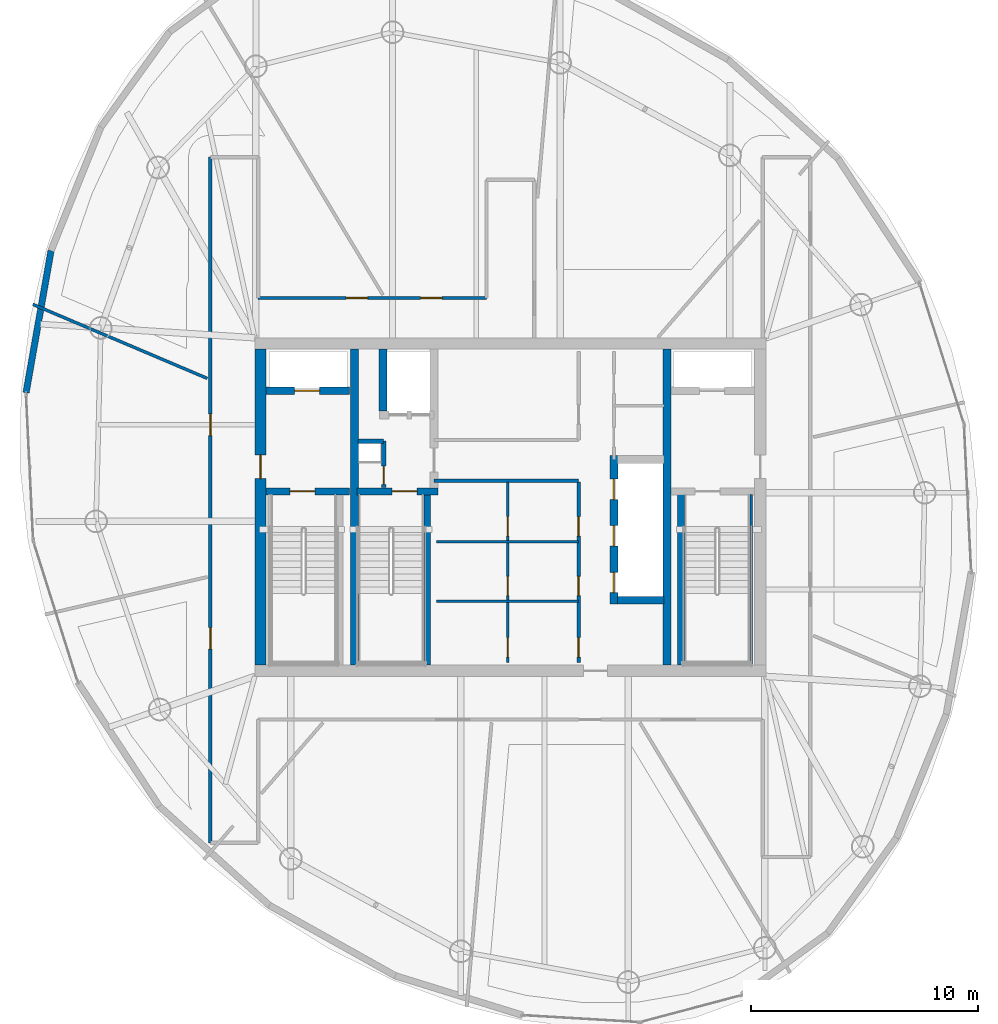
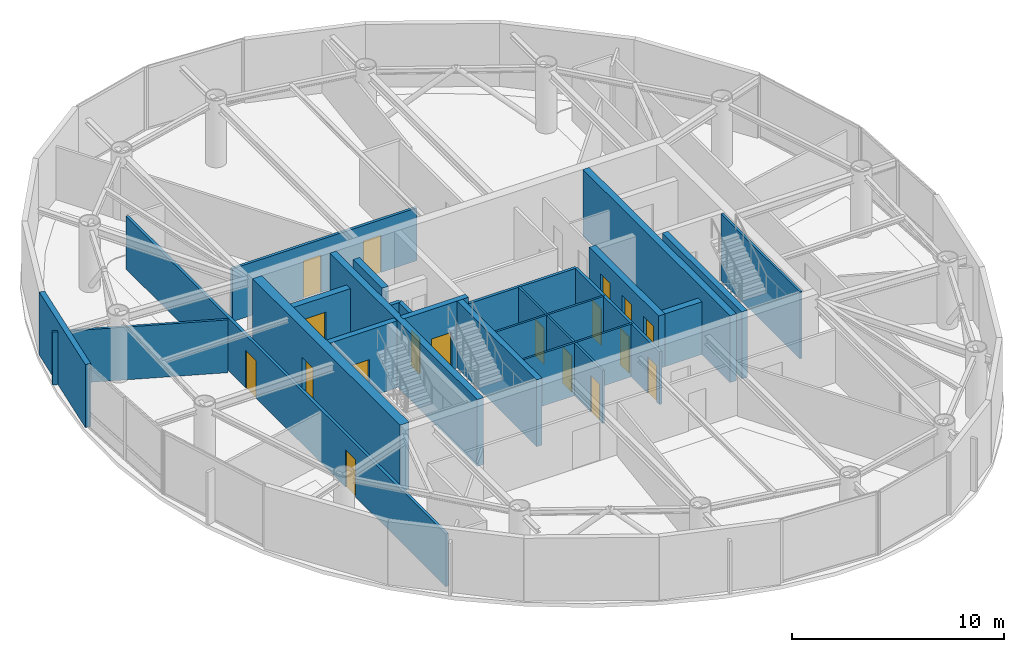
# One storey, part 14 of 19: 23 walls, 18 doors, 18 openings.
"""IFC4 building model written with IfcOpenShell, lengths in metres."""

from ifc_helpers import new_model, si_unit, direction, frame, frame_2d, origin, place, context, subcontext, project, spatial, rectangle, extrude, material, layer, layer_set, type_object, element, fill, save


model = new_model("IFC4")

# Units and contexts
model_context = context("Model", 3, precision=1e-05, world=origin(), true_north=direction((0.0, 1.0)))
body_context = subcontext(model_context, "Body", "Model", "MODEL_VIEW")
ifc_project = project(units=[si_unit("LENGTHUNIT", "METRE"), si_unit("AREAUNIT", "SQUARE_METRE"), si_unit("VOLUMEUNIT", "CUBIC_METRE"), si_unit("PLANEANGLEUNIT", "RADIAN"), si_unit("MASSUNIT", "GRAM", prefix="KILO")], contexts=[model_context])

# Site, building, storey
site_placement = place(None, origin())
site = spatial("IfcSite", under=ifc_project, at=site_placement, CompositionType="ELEMENT")
building_placement = place(site_placement, origin())
building = spatial("IfcBuilding", under=site, at=building_placement, Name="Bramvorn Convention Spire", CompositionType="ELEMENT")
storey_placement = place(building_placement, frame((0.0, 0.0, 292.10009765625)))
storey = spatial("IfcBuildingStorey", under=building, at=storey_placement, Name="L74", CompositionType="ELEMENT", Elevation=292.10009765625)

# Wall, opening, door
ifc_material_1 = material(Name="Concrete C50/60", Category="concrete")
ifc_layer_1 = layer(ifc_material_1, 0.5)
ifc_layer_set_1 = layer_set([ifc_layer_1], Name="Concrete C50/60 - WL-CORE-500")
wall_type_1 = type_object("IfcWallType", Name="WL-CORE-500", PredefinedType="SHEAR", material=ifc_layer_set_1)
wall_1_placement = place(storey_placement, frame((27.0, 19.050048828125, 0.0), z_axis=(0.0, 0.0, 1.0), x_axis=(0.0, 1.0, 0.0)))
wall_1 = element("IfcWall", 1, at=wall_1_placement, inside=storey, type_object=wall_type_1, Name="L74 West RC core shear wall", PredefinedType="SHEAR", context=body_context, shape_type="SweptSolid", body=[
    extrude(rectangle(XDim=13.89990234375, YDim=0.5, at=frame_2d((6.949951171875, 0.0))), origin(), (0.0, 0.0, 1.0), 3.849853515625),
])
opening_1_placement = place(wall_1_placement, frame((8.199951171875, 0.0, 0.0)))
opening_1 = element("IfcOpeningElement", 2, at=opening_1_placement, cuts=wall_1, Name="Opening DL-105", PredefinedType="OPENING", context=body_context, shape_type="SweptSolid", body=[
    extrude(rectangle(XDim=1.050048828125, YDim=2.14990234375, at=frame_2d((0.52490234375, 1.074951171875))), frame((0.0, 0.260009765625, 0.0), z_axis=(0.0, -1.0, 0.0), x_axis=(1.0, 0.0, 0.0)), (0.0, 0.0, 1.0), 0.52001953125),
])
ifc_material_2 = material(Name="Smoke-Sealed Fire Lobby Timber-Core Door", Category="wood")
door_type_1 = type_object("IfcDoorType", Name="DR-LOBBY-1050", OperationType="NOTDEFINED", PredefinedType="DOOR", material=ifc_material_2)
door_1_placement = place(opening_1_placement, origin())
door_1 = element("IfcDoor", 3, at=door_1_placement, inside=storey, type_object=door_type_1, Name="L74 West Firefighting Lobby corridor door", OperationType="SINGLE_SWING_RIGHT", OverallHeight=2.14990234375, OverallWidth=1.050048828125, PredefinedType="DOOR", context=body_context, shape_type="SweptSolid", body=[
    extrude(rectangle(XDim=1.050048828125, YDim=2.14990234375, at=frame_2d((0.52490234375, 1.074951171875))), frame((0.0, 0.02490234375, 0.0), z_axis=(0.0, -1.0, 0.0), x_axis=(1.0, 0.0, 0.0)), (0.0, 0.0, 1.0), 0.050048828125),
])
fill(opening_1, door_1)

# Walls
ifc_layer_2 = layer(ifc_material_1, 0.35009765625)
ifc_layer_set_2 = layer_set([ifc_layer_2], Name="Concrete C50/60 - WL-CORE-INT-350")
wall_type_2 = type_object("IfcWallType", Name="WL-CORE-INT-350", PredefinedType="SHEAR", material=ifc_layer_set_2)
for number, where, z_axis, x_axis, name in (
    (4, (31.1298828125, 19.050048828125, 0.0), (0.0, 0.0, 1.0), (0.0, 1.0, 0.0), "L74 West internal core shear web"),
    (5, (44.89990234375, 19.050048828125, 0.0), (0.0, 0.0, 1.0), (0.0, 1.0, 0.0), "L74 East internal core shear web"),
):
    element("IfcWall", number, at=place(storey_placement, frame(where, z_axis=z_axis, x_axis=x_axis)), inside=storey, type_object=wall_type_2, Name=name, PredefinedType="SHEAR", context=body_context, shape_type="SweptSolid", body=[
        extrude(rectangle(XDim=13.89990234375, YDim=0.35009765625, at=frame_2d((6.949951171875, 0.0))), origin(), (0.0, 0.0, 1.0), 3.849853515625),
    ])

# Wall, opening, door
wall_2_placement = place(storey_placement, frame((27.25, 31.1201171875, 0.0), z_axis=(0.0, 0.0, 1.0), x_axis=(1.0, 0.0, 0.0)))
wall_2 = element("IfcWall", 6, at=wall_2_placement, inside=storey, type_object=wall_type_2, Name="L74 FE1 shaft front wall", PredefinedType="SHEAR", context=body_context, shape_type="SweptSolid", body=[
    extrude(rectangle(XDim=3.669921875, YDim=0.35009765625, at=frame_2d((1.8349609375, 0.0))), origin(), (0.0, 0.0, 1.0), 3.039794921875),
])
opening_2_placement = place(wall_2_placement, frame((1.25, 0.0, 0.0)))
opening_2 = element("IfcOpeningElement", 7, at=opening_2_placement, cuts=wall_2, Name="Opening LD-110", PredefinedType="OPENING", context=body_context, shape_type="SweptSolid", body=[
    extrude(rectangle(XDim=1.10009765625, YDim=2.14990234375, at=frame_2d((0.550048828125, 1.074951171875))), frame((0.0, 0.18505859375, 0.0), z_axis=(0.0, -1.0, 0.0), x_axis=(1.0, 0.0, 0.0)), (0.0, 0.0, 1.0), 0.3701171875),
])
ifc_material_3 = material(Name="Firefighting & Service Lift Sliding Landing Door", Category="steel")
door_type_2 = type_object("IfcDoorType", Name="DR-LIFT-LD-1100", OperationType="NOTDEFINED", PredefinedType="DOOR", material=ifc_material_3)
door_2_placement = place(opening_2_placement, origin())
door_2 = element("IfcDoor", 8, at=door_2_placement, inside=storey, type_object=door_type_2, Name="L74 Lift FE1 Sliding Landing Door", OperationType="SLIDING_TO_LEFT", OverallHeight=2.14990234375, OverallWidth=1.10009765625, PredefinedType="DOOR", context=body_context, shape_type="SweptSolid", body=[
    extrude(rectangle(XDim=1.10009765625, YDim=2.14990234375, at=frame_2d((0.550048828125, 1.074951171875))), frame((0.0, 0.02490234375, 0.0), z_axis=(0.0, -1.0, 0.0), x_axis=(1.0, 0.0, 0.0)), (0.0, 0.0, 1.0), 0.050048828125),
])
fill(opening_2, door_2)

# Wall
wall_3_placement = place(storey_placement, frame((32.39990234375, 30.219970703125, 0.0), z_axis=(0.0, 0.0, 1.0), x_axis=(0.0, 1.0, 0.0)))
element("IfcWall", 9, at=wall_3_placement, inside=storey, type_object=wall_type_2, Name="L74 SV1 west hoistway wall", PredefinedType="SHEAR", context=body_context, shape_type="SweptSolid", body=[
    extrude(rectangle(XDim=2.72998046875, YDim=0.35009765625, at=frame_2d((1.364990234375, 0.0))), origin(), (0.0, 0.0, 1.0), 3.039794921875),
])

# Wall, openings, doors
wall_4_placement = place(storey_placement, frame((42.550048828125, 21.72998046875, 0.0), z_axis=(0.0, 0.0, 1.0), x_axis=(0.0, 1.0, 0.0)))
wall_4 = element("IfcWall", 10, at=wall_4_placement, inside=storey, type_object=wall_type_2, Name="L74 High-rise lift bank west wall", PredefinedType="SHEAR", context=body_context, shape_type="SweptSolid", body=[
    extrude(rectangle(XDim=6.5400390625, YDim=0.35009765625, at=frame_2d((3.27001953125, 0.0))), origin(), (0.0, 0.0, 1.0), 3.039794921875),
])
opening_3_placement = place(wall_4_placement, frame((0.5, 0.0, 0.0)))
opening_3 = element("IfcOpeningElement", 11, at=opening_3_placement, cuts=wall_4, Name="Opening LD-090", PredefinedType="OPENING", context=body_context, shape_type="SweptSolid", body=[
    extrude(rectangle(XDim=0.89990234375, YDim=2.14990234375, at=frame_2d((0.449951171875, 1.074951171875))), frame((0.0, 0.18505859375, 0.0), z_axis=(0.0, -1.0, 0.0), x_axis=(1.0, 0.0, 0.0)), (0.0, 0.0, 1.0), 0.3701171875),
])
opening_4_placement = place(wall_4_placement, frame((2.550048828125, 0.0, 0.0)))
opening_4 = element("IfcOpeningElement", 12, at=opening_4_placement, cuts=wall_4, Name="Opening LD-090", PredefinedType="OPENING", context=body_context, shape_type="SweptSolid", body=[
    extrude(rectangle(XDim=0.89990234375, YDim=2.14990234375, at=frame_2d((0.449951171875, 1.074951171875))), frame((0.0, 0.18505859375, 0.0), z_axis=(0.0, -1.0, 0.0), x_axis=(1.0, 0.0, 0.0)), (0.0, 0.0, 1.0), 0.3701171875),
])
opening_5_placement = place(wall_4_placement, frame((4.60009765625, 0.0, 0.0)))
opening_5 = element("IfcOpeningElement", 13, at=opening_5_placement, cuts=wall_4, Name="Opening LD-090", PredefinedType="OPENING", context=body_context, shape_type="SweptSolid", body=[
    extrude(rectangle(XDim=0.89990234375, YDim=2.14990234375, at=frame_2d((0.449951171875, 1.074951171875))), frame((0.0, 0.18505859375, 0.0), z_axis=(0.0, -1.0, 0.0), x_axis=(1.0, 0.0, 0.0)), (0.0, 0.0, 1.0), 0.3701171875),
])
ifc_material_4 = material(Name="Bi-Parting Fire-Rated Lift Landing Door", Category="steel")
door_type_3 = type_object("IfcDoorType", Name="DR-LIFT-LD-900", OperationType="NOTDEFINED", PredefinedType="DOOR", material=ifc_material_4)
door_3_placement = place(opening_3_placement, origin())
door_3 = element("IfcDoor", 14, at=door_3_placement, inside=storey, type_object=door_type_3, Name="L74 Lift PH1 Sliding Landing Door", OperationType="SLIDING_TO_LEFT", OverallHeight=2.14990234375, OverallWidth=0.89990234375, PredefinedType="DOOR", context=body_context, shape_type="SweptSolid", body=[
    extrude(rectangle(XDim=0.89990234375, YDim=2.14990234375, at=frame_2d((0.449951171875, 1.074951171875))), frame((0.0, 0.02490234375, 0.0), z_axis=(0.0, -1.0, 0.0), x_axis=(1.0, 0.0, 0.0)), (0.0, 0.0, 1.0), 0.050048828125),
])
fill(opening_3, door_3)
door_4_placement = place(opening_4_placement, origin())
door_4 = element("IfcDoor", 15, at=door_4_placement, inside=storey, type_object=door_type_3, Name="L74 Lift PH2 Sliding Landing Door", OperationType="SLIDING_TO_LEFT", OverallHeight=2.14990234375, OverallWidth=0.89990234375, PredefinedType="DOOR", context=body_context, shape_type="SweptSolid", body=[
    extrude(rectangle(XDim=0.89990234375, YDim=2.14990234375, at=frame_2d((0.449951171875, 1.074951171875))), frame((0.0, 0.02490234375, 0.0), z_axis=(0.0, -1.0, 0.0), x_axis=(1.0, 0.0, 0.0)), (0.0, 0.0, 1.0), 0.050048828125),
])
fill(opening_4, door_4)
door_5_placement = place(opening_5_placement, origin())
door_5 = element("IfcDoor", 16, at=door_5_placement, inside=storey, type_object=door_type_3, Name="L74 Lift PH3 Sliding Landing Door", OperationType="SLIDING_TO_LEFT", OverallHeight=2.14990234375, OverallWidth=0.89990234375, PredefinedType="DOOR", context=body_context, shape_type="SweptSolid", body=[
    extrude(rectangle(XDim=0.89990234375, YDim=2.14990234375, at=frame_2d((0.449951171875, 1.074951171875))), frame((0.0, 0.02490234375, 0.0), z_axis=(0.0, -1.0, 0.0), x_axis=(1.0, 0.0, 0.0)), (0.0, 0.0, 1.0), 0.050048828125),
])
fill(opening_5, door_5)

# Walls
wall_5_placement = place(storey_placement, frame((42.719970703125, 21.89990234375, 0.0), z_axis=(0.0, 0.0, 1.0), x_axis=(1.0, 0.0, 0.0)))
element("IfcWall", 17, at=wall_5_placement, inside=storey, type_object=wall_type_2, Name="L74 High-rise lift bank south wall", PredefinedType="SHEAR", context=body_context, shape_type="SweptSolid", body=[
    extrude(rectangle(XDim=2.030029296875, YDim=0.35009765625, at=frame_2d((1.01513671875, 0.0))), origin(), (0.0, 0.0, 1.0), 3.039794921875),
])
ifc_material_5 = material(Name="Precast Concrete C40/50 with Bronze Terracotta Rainscreen", Category="masonry")
ifc_layer_3 = layer(ifc_material_5, 0.300048828125)
ifc_layer_set_3 = layer_set([ifc_layer_3], Name="Precast Concrete C40/50 with Bronze Terracotta Rainscreen - WL-EXT-BRONZE-300")
wall_type_3 = type_object("IfcWallType", Name="WL-EXT-BRONZE-300", PredefinedType="SOLIDWALL", material=ifc_layer_set_3)
wall_6_placement = place(storey_placement, frame((16.685791015625, 31.0341796875, 0.0), z_axis=(0.0, 0.0, 1.0), x_axis=(0.173258520221, 0.984876380654, 0.0)))
element("IfcWall", 18, at=wall_6_placement, inside=storey, type_object=wall_type_3, Name="L74 expressed bronze Gothic lancet pier wall 16", PredefinedType="SOLIDWALL", context=body_context, shape_type="SweptSolid", body=[
    extrude(rectangle(XDim=6.34521484375, YDim=0.280029296875, at=frame_2d((3.172607421875, 0.0))), origin(), (0.0, 0.0, 1.0), 3.625),
])

# Wall, openings, doors
ifc_material_6 = material(Name="Lightweight En-Suite & Wet-Wall Partition", Category="gypsum")
ifc_layer_4 = layer(ifc_material_6, 0.110107421875)
ifc_layer_set_4 = layer_set([ifc_layer_4], Name="Lightweight En-Suite & Wet-Wall Partition - WL-PART-110")
wall_type_4 = type_object("IfcWallType", Name="WL-PART-110", PredefinedType="PARTITIONING", material=ifc_layer_set_4)
wall_7_placement = place(storey_placement, frame((37.8798828125, 19.14990234375, 0.0), z_axis=(0.0, 0.0, 1.0), x_axis=(0.0, 1.0, 0.0)))
wall_7 = element("IfcWall", 19, at=wall_7_placement, inside=storey, type_object=wall_type_4, Name="L74 KB center wall", PredefinedType="PARTITIONING", context=body_context, shape_type="SweptSolid", body=[
    extrude(rectangle(XDim=7.9501953125, YDim=0.110107421875, at=frame_2d((3.97509765625, 0.0))), origin(), (0.0, 0.0, 1.0), 3.039794921875),
])
opening_6_placement = place(wall_7_placement, frame((0.25, 0.0, 0.0)))
opening_6 = element("IfcOpeningElement", 20, at=opening_6_placement, cuts=wall_7, Name="Opening DC-085", PredefinedType="OPENING", context=body_context, shape_type="SweptSolid", body=[
    extrude(rectangle(XDim=0.85009765625, YDim=2.10009765625, at=frame_2d((0.425048828125, 1.050048828125))), frame((0.0, 0.06494140625, 0.0), z_axis=(0.0, -1.0, 0.0), x_axis=(1.0, 0.0, 0.0)), (0.0, 0.0, 1.0), 0.130126953125),
])
opening_7_placement = place(wall_7_placement, frame((2.952880859375, 0.0, 0.0)))
opening_7 = element("IfcOpeningElement", 21, at=opening_7_placement, cuts=wall_7, Name="Opening DC-085", PredefinedType="OPENING", context=body_context, shape_type="SweptSolid", body=[
    extrude(rectangle(XDim=0.85009765625, YDim=2.10009765625, at=frame_2d((0.425048828125, 1.050048828125))), frame((0.0, 0.06494140625, 0.0), z_axis=(0.0, -1.0, 0.0), x_axis=(1.0, 0.0, 0.0)), (0.0, 0.0, 1.0), 0.130126953125),
])
opening_8_placement = place(wall_7_placement, frame((5.576416015625, 0.0, 0.0)))
opening_8 = element("IfcOpeningElement", 22, at=opening_8_placement, cuts=wall_7, Name="Opening DC-085", PredefinedType="OPENING", context=body_context, shape_type="SweptSolid", body=[
    extrude(rectangle(XDim=0.85009765625, YDim=2.10009765625, at=frame_2d((0.425048828125, 1.050048828125))), frame((0.0, 0.06494140625, 0.0), z_axis=(0.0, -1.0, 0.0), x_axis=(1.0, 0.0, 0.0)), (0.0, 0.0, 1.0), 0.130126953125),
])
ifc_material_7 = material(Name="Fire-Rated Core Washroom & IDF Door", Category="wood")
door_type_4 = type_object("IfcDoorType", Name="DR-CORE-850", OperationType="NOTDEFINED", PredefinedType="DOOR", material=ifc_material_7)
door_6_placement = place(opening_6_placement, origin())
door_6 = element("IfcDoor", 23, at=door_6_placement, inside=storey, type_object=door_type_4, Name="L74 Core Linen Store door", OperationType="SINGLE_SWING_LEFT", OverallHeight=2.10009765625, OverallWidth=0.85009765625, PredefinedType="DOOR", context=body_context, shape_type="SweptSolid", body=[
    extrude(rectangle(XDim=0.85009765625, YDim=2.10009765625, at=frame_2d((0.425048828125, 1.050048828125))), frame((0.0, 0.02490234375, 0.0), z_axis=(0.0, -1.0, 0.0), x_axis=(1.0, 0.0, 0.0)), (0.0, 0.0, 1.0), 0.050048828125),
])
fill(opening_6, door_6)
door_7_placement = place(opening_7_placement, origin())
door_7 = element("IfcDoor", 24, at=door_7_placement, inside=storey, type_object=door_type_4, Name="L74 Core Metering Closet door", OperationType="SINGLE_SWING_LEFT", OverallHeight=2.10009765625, OverallWidth=0.85009765625, PredefinedType="DOOR", context=body_context, shape_type="SweptSolid", body=[
    extrude(rectangle(XDim=0.85009765625, YDim=2.10009765625, at=frame_2d((0.425048828125, 1.050048828125))), frame((0.0, 0.02490234375, 0.0), z_axis=(0.0, -1.0, 0.0), x_axis=(1.0, 0.0, 0.0)), (0.0, 0.0, 1.0), 0.050048828125),
])
fill(opening_7, door_7)
door_8_placement = place(opening_8_placement, origin())
door_8 = element("IfcDoor", 25, at=door_8_placement, inside=storey, type_object=door_type_4, Name="L74 Core Janitor Supply door", OperationType="SINGLE_SWING_LEFT", OverallHeight=2.10009765625, OverallWidth=0.85009765625, PredefinedType="DOOR", context=body_context, shape_type="SweptSolid", body=[
    extrude(rectangle(XDim=0.85009765625, YDim=2.10009765625, at=frame_2d((0.425048828125, 1.050048828125))), frame((0.0, 0.02490234375, 0.0), z_axis=(0.0, -1.0, 0.0), x_axis=(1.0, 0.0, 0.0)), (0.0, 0.0, 1.0), 0.050048828125),
])
fill(opening_8, door_8)

# Walls
for number, where, z_axis, x_axis, name in (
    (26, (34.75, 21.85302734375, 0.0), (0.0, 0.0, 1.0), (1.0, 0.0, 0.0), "L74 KB divider 1"),
    (27, (34.75, 24.4765625, 0.0), (0.0, 0.0, 1.0), (1.0, 0.0, 0.0), "L74 KB divider 2"),
):
    element("IfcWall", number, at=place(storey_placement, frame(where, z_axis=z_axis, x_axis=x_axis)), inside=storey, type_object=wall_type_4, Name=name, PredefinedType="PARTITIONING", context=body_context, shape_type="SweptSolid", body=[
        extrude(rectangle(XDim=6.25, YDim=0.110107421875, at=frame_2d((3.125, 0.0))), origin(), (0.0, 0.0, 1.0), 3.039794921875),
    ])
ifc_material_8 = material(Name="Metal-Stud Demountable Office Partition", Category="gypsum")
ifc_layer_5 = layer(ifc_material_8, 0.1298828125)
ifc_layer_set_5 = layer_set([ifc_layer_5], Name="Metal-Stud Demountable Office Partition - WL-PART-130")
wall_type_5 = type_object("IfcWallType", Name="WL-PART-130", PredefinedType="PARTITIONING", material=ifc_layer_set_5)
wall_8_placement = place(storey_placement, frame((24.659912109375, 31.66259765625, 0.0), z_axis=(0.0, 0.0, 1.0), x_axis=(-0.920507798558, 0.390724190182, 0.0)))
element("IfcWall", 28, at=wall_8_placement, inside=storey, type_object=wall_type_5, Name="L74 Tenant suite partition 5", PredefinedType="PARTITIONING", context=body_context, shape_type="SweptSolid", body=[
    extrude(rectangle(XDim=8.3427734375, YDim=0.1298828125, at=frame_2d((4.17138671875, 0.0))), origin(), (0.0, 0.0, 1.0), 3.039794921875),
])
ifc_material_9 = material(Name="Acoustic Metal-Stud Tenant/Corridor Partition", Category="gypsum")
ifc_layer_6 = layer(ifc_material_9, 0.14990234375)
ifc_layer_set_6 = layer_set([ifc_layer_6], Name="Acoustic Metal-Stud Tenant/Corridor Partition - WL-PART-150")
wall_type_6 = type_object("IfcWallType", Name="WL-PART-150", PredefinedType="PARTITIONING", material=ifc_layer_set_6)
wall_9_placement = place(storey_placement, frame((34.639892578125, 27.14990234375, 0.0), z_axis=(0.0, 0.0, 1.0), x_axis=(1.0, 0.0, 0.0)))
element("IfcWall", 29, at=wall_9_placement, inside=storey, type_object=wall_type_6, Name="L74 Cross-core passage south wall", PredefinedType="PARTITIONING", context=body_context, shape_type="SweptSolid", body=[
    extrude(rectangle(XDim=6.360107421875, YDim=0.14990234375, at=frame_2d((3.18017578125, 0.0))), origin(), (0.0, 0.0, 1.0), 3.039794921875),
])

# Wall, openings, doors
wall_10_placement = place(storey_placement, frame((41.0, 19.14990234375, 0.0), z_axis=(0.0, 0.0, 1.0), x_axis=(0.0, 1.0, 0.0)))
wall_10 = element("IfcWall", 30, at=wall_10_placement, inside=storey, type_object=wall_type_6, Name="L74 KB east core wall", PredefinedType="PARTITIONING", context=body_context, shape_type="SweptSolid", body=[
    extrude(rectangle(XDim=7.9501953125, YDim=0.14990234375, at=frame_2d((3.97509765625, 0.0))), origin(), (0.0, 0.0, 1.0), 3.039794921875),
])
opening_9_placement = place(wall_10_placement, frame((0.25, 0.0, 0.0)))
opening_9 = element("IfcOpeningElement", 31, at=opening_9_placement, cuts=wall_10, Name="Opening DC-085", PredefinedType="OPENING", context=body_context, shape_type="SweptSolid", body=[
    extrude(rectangle(XDim=0.85009765625, YDim=2.10009765625, at=frame_2d((0.425048828125, 1.050048828125))), frame((0.0, 0.0849609375, 0.0), z_axis=(0.0, -1.0, 0.0), x_axis=(1.0, 0.0, 0.0)), (0.0, 0.0, 1.0), 0.169921875),
])
opening_10_placement = place(wall_10_placement, frame((2.952880859375, 0.0, 0.0)))
opening_10 = element("IfcOpeningElement", 32, at=opening_10_placement, cuts=wall_10, Name="Opening DC-085", PredefinedType="OPENING", context=body_context, shape_type="SweptSolid", body=[
    extrude(rectangle(XDim=0.85009765625, YDim=2.10009765625, at=frame_2d((0.425048828125, 1.050048828125))), frame((0.0, 0.0849609375, 0.0), z_axis=(0.0, -1.0, 0.0), x_axis=(1.0, 0.0, 0.0)), (0.0, 0.0, 1.0), 0.169921875),
])
opening_11_placement = place(wall_10_placement, frame((5.576416015625, 0.0, 0.0)))
opening_11 = element("IfcOpeningElement", 33, at=opening_11_placement, cuts=wall_10, Name="Opening DC-085", PredefinedType="OPENING", context=body_context, shape_type="SweptSolid", body=[
    extrude(rectangle(XDim=0.85009765625, YDim=2.10009765625, at=frame_2d((0.425048828125, 1.050048828125))), frame((0.0, 0.0849609375, 0.0), z_axis=(0.0, -1.0, 0.0), x_axis=(1.0, 0.0, 0.0)), (0.0, 0.0, 1.0), 0.169921875),
])
door_9_placement = place(opening_9_placement, origin())
door_9 = element("IfcDoor", 34, at=door_9_placement, inside=storey, type_object=door_type_4, Name="L74 Accessible Core Restroom door", OperationType="SINGLE_SWING_LEFT", OverallHeight=2.10009765625, OverallWidth=0.85009765625, PredefinedType="DOOR", context=body_context, shape_type="SweptSolid", body=[
    extrude(rectangle(XDim=0.85009765625, YDim=2.10009765625, at=frame_2d((0.425048828125, 1.050048828125))), frame((0.0, 0.02490234375, 0.0), z_axis=(0.0, -1.0, 0.0), x_axis=(1.0, 0.0, 0.0)), (0.0, 0.0, 1.0), 0.050048828125),
])
fill(opening_9, door_9)
door_10_placement = place(opening_10_placement, origin())
door_10 = element("IfcDoor", 35, at=door_10_placement, inside=storey, type_object=door_type_4, Name="L74 Tenant Pantry & Copy Centre door", OperationType="SINGLE_SWING_LEFT", OverallHeight=2.10009765625, OverallWidth=0.85009765625, PredefinedType="DOOR", context=body_context, shape_type="SweptSolid", body=[
    extrude(rectangle(XDim=0.85009765625, YDim=2.10009765625, at=frame_2d((0.425048828125, 1.050048828125))), frame((0.0, 0.02490234375, 0.0), z_axis=(0.0, -1.0, 0.0), x_axis=(1.0, 0.0, 0.0)), (0.0, 0.0, 1.0), 0.050048828125),
])
fill(opening_10, door_10)
door_11_placement = place(opening_11_placement, origin())
door_11 = element("IfcDoor", 36, at=door_11_placement, inside=storey, type_object=door_type_4, Name="L74 Gender-Neutral Core WC door", OperationType="SINGLE_SWING_LEFT", OverallHeight=2.10009765625, OverallWidth=0.85009765625, PredefinedType="DOOR", context=body_context, shape_type="SweptSolid", body=[
    extrude(rectangle(XDim=0.85009765625, YDim=2.10009765625, at=frame_2d((0.425048828125, 1.050048828125))), frame((0.0, 0.02490234375, 0.0), z_axis=(0.0, -1.0, 0.0), x_axis=(1.0, 0.0, 0.0)), (0.0, 0.0, 1.0), 0.050048828125),
])
fill(opening_11, door_11)

wall_11_placement = place(storey_placement, frame((26.89990234375, 35.199951171875, 0.0), z_axis=(0.0, 0.0, 1.0), x_axis=(1.0, 0.0, 0.0)))
wall_11 = element("IfcWall", 37, at=wall_11_placement, inside=storey, type_object=wall_type_6, Name="L74 North-west spur link wall", PredefinedType="PARTITIONING", context=body_context, shape_type="SweptSolid", body=[
    extrude(rectangle(XDim=10.050048828125, YDim=0.14990234375, at=frame_2d((5.02490234375, 0.0))), origin(), (0.0, 0.0, 1.0), 3.039794921875),
])
opening_12_placement = place(wall_11_placement, frame((7.1494140625, 0.0, 0.0)))
opening_12 = element("IfcOpeningElement", 38, at=opening_12_placement, cuts=wall_11, Name="Opening DH-095", PredefinedType="OPENING", context=body_context, shape_type="SweptSolid", body=[
    extrude(rectangle(XDim=0.949951171875, YDim=2.14990234375, at=frame_2d((0.47509765625, 1.074951171875))), frame((0.0, 0.0849609375, 0.0), z_axis=(0.0, -1.0, 0.0), x_axis=(1.0, 0.0, 0.0)), (0.0, 0.0, 1.0), 0.169921875),
])
opening_13_placement = place(wall_11_placement, frame((3.872314453125, 0.0, 0.0)))
opening_13 = element("IfcOpeningElement", 39, at=opening_13_placement, cuts=wall_11, Name="Opening DH-095", PredefinedType="OPENING", context=body_context, shape_type="SweptSolid", body=[
    extrude(rectangle(XDim=0.949951171875, YDim=2.14990234375, at=frame_2d((0.47509765625, 1.074951171875))), frame((0.0, 0.0849609375, 0.0), z_axis=(0.0, -1.0, 0.0), x_axis=(1.0, 0.0, 0.0)), (0.0, 0.0, 1.0), 0.169921875),
])
ifc_material_10 = material(Name="Solid-Core Acoustic Guestroom Entry Door", Category="wood")
door_type_5 = type_object("IfcDoorType", Name="DR-HOTEL-950", OperationType="NOTDEFINED", PredefinedType="DOOR", material=ifc_material_10)
door_12_placement = place(opening_12_placement, origin())
door_12 = element("IfcDoor", 40, at=door_12_placement, inside=storey, type_object=door_type_5, Name="L74 Client Meeting Pin-Up Room 1 3 door", OperationType="SINGLE_SWING_RIGHT", OverallHeight=2.14990234375, OverallWidth=0.949951171875, PredefinedType="DOOR", context=body_context, shape_type="SweptSolid", body=[
    extrude(rectangle(XDim=0.949951171875, YDim=2.14990234375, at=frame_2d((0.47509765625, 1.074951171875))), frame((0.0, 0.02490234375, 0.0), z_axis=(0.0, -1.0, 0.0), x_axis=(1.0, 0.0, 0.0)), (0.0, 0.0, 1.0), 0.050048828125),
])
fill(opening_12, door_12)
door_13_placement = place(opening_13_placement, origin())
door_13 = element("IfcDoor", 41, at=door_13_placement, inside=storey, type_object=door_type_5, Name="L74 Client Meeting Pin-Up Room 2 4 door", OperationType="SINGLE_SWING_RIGHT", OverallHeight=2.14990234375, OverallWidth=0.949951171875, PredefinedType="DOOR", context=body_context, shape_type="SweptSolid", body=[
    extrude(rectangle(XDim=0.949951171875, YDim=2.14990234375, at=frame_2d((0.47509765625, 1.074951171875))), frame((0.0, 0.02490234375, 0.0), z_axis=(0.0, -1.0, 0.0), x_axis=(1.0, 0.0, 0.0)), (0.0, 0.0, 1.0), 0.050048828125),
])
fill(opening_13, door_13)

wall_12_placement = place(storey_placement, frame((24.800048828125, 11.222412109375, 0.0), z_axis=(0.0, 0.0, 1.0), x_axis=(0.0, 1.0, 0.0)))
wall_12 = element("IfcWall", 42, at=wall_12_placement, inside=storey, type_object=wall_type_6, Name="L74 West N-S gallery outer wall", PredefinedType="PARTITIONING", context=body_context, shape_type="SweptSolid", body=[
    extrude(rectangle(XDim=30.177490234375, YDim=0.14990234375, at=frame_2d((15.0888671875, 0.0))), origin(), (0.0, 0.0, 1.0), 3.039794921875),
])
opening_14_placement = place(wall_12_placement, frame((17.9228515625, 0.0, 0.0)))
opening_14 = element("IfcOpeningElement", 43, at=opening_14_placement, cuts=wall_12, Name="Opening DH-095", PredefinedType="OPENING", context=body_context, shape_type="SweptSolid", body=[
    extrude(rectangle(XDim=0.949951171875, YDim=2.14990234375, at=frame_2d((0.47509765625, 1.074951171875))), frame((0.0, 0.0849609375, 0.0), z_axis=(0.0, -1.0, 0.0), x_axis=(1.0, 0.0, 0.0)), (0.0, 0.0, 1.0), 0.169921875),
])
opening_15_placement = place(wall_12_placement, frame((8.524169921875, 0.0, 0.0)))
opening_15 = element("IfcOpeningElement", 44, at=opening_15_placement, cuts=wall_12, Name="Opening DH-095", PredefinedType="OPENING", context=body_context, shape_type="SweptSolid", body=[
    extrude(rectangle(XDim=0.949951171875, YDim=2.14990234375, at=frame_2d((0.47509765625, 1.074951171875))), frame((0.0, 0.0849609375, 0.0), z_axis=(0.0, -1.0, 0.0), x_axis=(1.0, 0.0, 0.0)), (0.0, 0.0, 1.0), 0.169921875),
])
door_14_placement = place(opening_14_placement, origin())
door_14 = element("IfcDoor", 45, at=door_14_placement, inside=storey, type_object=door_type_5, Name="L74 Materials Library Store 5 door", OperationType="SINGLE_SWING_LEFT", OverallHeight=2.14990234375, OverallWidth=0.949951171875, PredefinedType="DOOR", context=body_context, shape_type="SweptSolid", body=[
    extrude(rectangle(XDim=0.949951171875, YDim=2.14990234375, at=frame_2d((0.47509765625, 1.074951171875))), frame((0.0, 0.02490234375, 0.0), z_axis=(0.0, -1.0, 0.0), x_axis=(1.0, 0.0, 0.0)), (0.0, 0.0, 1.0), 0.050048828125),
])
fill(opening_14, door_14)
door_15_placement = place(opening_15_placement, origin())
door_15 = element("IfcDoor", 46, at=door_15_placement, inside=storey, type_object=door_type_5, Name="L74 Studio Espresso Kitchen 6 door", OperationType="SINGLE_SWING_LEFT", OverallHeight=2.14990234375, OverallWidth=0.949951171875, PredefinedType="DOOR", context=body_context, shape_type="SweptSolid", body=[
    extrude(rectangle(XDim=0.949951171875, YDim=2.14990234375, at=frame_2d((0.47509765625, 1.074951171875))), frame((0.0, 0.02490234375, 0.0), z_axis=(0.0, -1.0, 0.0), x_axis=(1.0, 0.0, 0.0)), (0.0, 0.0, 1.0), 0.050048828125),
])
fill(opening_15, door_15)

# Wall, opening, door
ifc_material_11 = material(Name="Gypsum Shaftwall & Rockwool Core Partition", Category="gypsum")
ifc_layer_7 = layer(ifc_material_11, 0.199951171875)
ifc_layer_set_7 = layer_set([ifc_layer_7], Name="Gypsum Shaftwall & Rockwool Core Partition - WL-PART-200-FR")
wall_type_7 = type_object("IfcWallType", Name="WL-PART-200-FR", PredefinedType="PARTITIONING", material=ifc_layer_set_7)
wall_13_placement = place(storey_placement, frame((32.419921875, 26.860107421875, 0.0), z_axis=(0.0, 0.0, 1.0), x_axis=(0.0, 1.0, 0.0)))
wall_13 = element("IfcWall", 47, at=wall_13_placement, inside=storey, type_object=wall_type_7, Name="L74 Telecom riser east wall", PredefinedType="PARTITIONING", context=body_context, shape_type="SweptSolid", body=[
    extrude(rectangle(XDim=2.039794921875, YDim=0.199951171875, at=frame_2d((1.02001953125, 0.0))), origin(), (0.0, 0.0, 1.0), 3.039794921875),
])
opening_16_placement = place(wall_13_placement, frame((0.139892578125, 0.0, 0.0)))
opening_16 = element("IfcOpeningElement", 48, at=opening_16_placement, cuts=wall_13, Name="Opening DR-080", PredefinedType="OPENING", context=body_context, shape_type="SweptSolid", body=[
    extrude(rectangle(XDim=0.800048828125, YDim=2.050048828125, at=frame_2d((0.39990234375, 1.02490234375))), frame((0.0, 0.10986328125, 0.0), z_axis=(0.0, -1.0, 0.0), x_axis=(1.0, 0.0, 0.0)), (0.0, 0.0, 1.0), 0.219970703125),
])
ifc_material_12 = material(Name="Flush Steel Riser Access Door", Category="steel")
door_type_6 = type_object("IfcDoorType", Name="DR-RISER-800", OperationType="NOTDEFINED", PredefinedType="DOOR", material=ifc_material_12)
door_16_placement = place(opening_16_placement, origin())
door_16 = element("IfcDoor", 49, at=door_16_placement, inside=storey, type_object=door_type_6, Name="L74 Telecom riser access door", OperationType="SINGLE_SWING_RIGHT", OverallHeight=2.050048828125, OverallWidth=0.800048828125, PredefinedType="DOOR", context=body_context, shape_type="SweptSolid", body=[
    extrude(rectangle(XDim=0.800048828125, YDim=2.050048828125, at=frame_2d((0.39990234375, 1.02490234375))), frame((0.0, 0.02490234375, 0.0), z_axis=(0.0, -1.0, 0.0), x_axis=(1.0, 0.0, 0.0)), (0.0, 0.0, 1.0), 0.050048828125),
])
fill(opening_16, door_16)

# Wall
wall_14_placement = place(storey_placement, frame((31.300048828125, 28.89990234375, 0.0), z_axis=(0.0, 0.0, 1.0), x_axis=(1.0, 0.0, 0.0)))
element("IfcWall", 50, at=wall_14_placement, inside=storey, type_object=wall_type_7, Name="L74 Telecom riser north wall", PredefinedType="PARTITIONING", context=body_context, shape_type="SweptSolid", body=[
    extrude(rectangle(XDim=1.119873046875, YDim=0.199951171875, at=frame_2d((0.56005859375, 0.0))), origin(), (0.0, 0.0, 1.0), 3.039794921875),
])

# Wall, opening, door
ifc_layer_8 = layer(ifc_material_1, 0.300048828125)
ifc_layer_set_8 = layer_set([ifc_layer_8], Name="Concrete C50/60 - WL-POD-STAIR-300")
wall_type_8 = type_object("IfcWallType", Name="WL-POD-STAIR-300", PredefinedType="SHEAR", material=ifc_layer_set_8)
wall_15_placement = place(storey_placement, frame((27.25, 26.68994140625, 0.0), z_axis=(0.0, 0.0, 1.0), x_axis=(1.0, 0.0, 0.0)))
wall_15 = element("IfcWall", 51, at=wall_15_placement, inside=storey, type_object=wall_type_8, Name="L74 ST1 north fire wall", PredefinedType="SHEAR", context=body_context, shape_type="SweptSolid", body=[
    extrude(rectangle(XDim=3.669921875, YDim=0.300048828125, at=frame_2d((1.8349609375, 0.0))), origin(), (0.0, 0.0, 1.0), 3.849853515625),
])
opening_17_placement = place(wall_15_placement, frame((1.050048828125, 0.0, 0.0)))
opening_17 = element("IfcOpeningElement", 52, at=opening_17_placement, cuts=wall_15, Name="Opening DS-110", PredefinedType="OPENING", context=body_context, shape_type="SweptSolid", body=[
    extrude(rectangle(XDim=1.10009765625, YDim=2.14990234375, at=frame_2d((0.550048828125, 1.074951171875))), frame((0.0, 0.159912109375, 0.0), z_axis=(0.0, -1.0, 0.0), x_axis=(1.0, 0.0, 0.0)), (0.0, 0.0, 1.0), 0.320068359375),
])
ifc_material_13 = material(Name="Fire-Rated Hollow Steel Stairwell Door", Category="steel")
door_type_7 = type_object("IfcDoorType", Name="DR-STAIR-1100", OperationType="NOTDEFINED", PredefinedType="DOOR", material=ifc_material_13)
door_17_placement = place(opening_17_placement, origin())
door_17 = element("IfcDoor", 53, at=door_17_placement, inside=storey, type_object=door_type_7, Name="L74 Stair ST1 fire door", OperationType="SINGLE_SWING_LEFT", OverallHeight=2.14990234375, OverallWidth=1.10009765625, PredefinedType="DOOR", context=body_context, shape_type="SweptSolid", body=[
    extrude(rectangle(XDim=1.10009765625, YDim=2.14990234375, at=frame_2d((0.550048828125, 1.074951171875))), frame((0.0, 0.02490234375, 0.0), z_axis=(0.0, -1.0, 0.0), x_axis=(1.0, 0.0, 0.0)), (0.0, 0.0, 1.0), 0.050048828125),
])
fill(opening_17, door_17)

# Walls
for number, where, z_axis, x_axis, name in (
    (54, (45.510009765625, 19.050048828125, 0.0), (0.0, 0.0, 1.0), (0.0, 1.0, 0.0), "L74 ST2 west bearing wall"),
    (55, (34.340087890625, 19.050048828125, 0.0), (0.0, 0.0, 1.0), (0.0, 1.0, 0.0), "L74 ST3 east bearing wall"),
):
    element("IfcWall", number, at=place(storey_placement, frame(where, z_axis=z_axis, x_axis=x_axis)), inside=storey, type_object=wall_type_8, Name=name, PredefinedType="SHEAR", context=body_context, shape_type="SweptSolid", body=[
        extrude(rectangle(XDim=7.5, YDim=0.300048828125, at=frame_2d((3.75, 0.0))), origin(), (0.0, 0.0, 1.0), 3.849853515625),
    ])

# Wall, opening, door
wall_16_placement = place(storey_placement, frame((31.25, 26.68994140625, 0.0), z_axis=(0.0, 0.0, 1.0), x_axis=(1.0, 0.0, 0.0)))
wall_16 = element("IfcWall", 56, at=wall_16_placement, inside=storey, type_object=wall_type_8, Name="L74 ST3 north lobby wall", PredefinedType="SHEAR", context=body_context, shape_type="SweptSolid", body=[
    extrude(rectangle(XDim=3.56005859375, YDim=0.300048828125, at=frame_2d((1.780029296875, 0.0))), origin(), (0.0, 0.0, 1.0), 3.849853515625),
])
opening_18_placement = place(wall_16_placement, frame((1.550048828125, 0.0, 0.0)))
opening_18 = element("IfcOpeningElement", 57, at=opening_18_placement, cuts=wall_16, Name="Opening DS-110", PredefinedType="OPENING", context=body_context, shape_type="SweptSolid", body=[
    extrude(rectangle(XDim=1.10009765625, YDim=2.14990234375, at=frame_2d((0.550048828125, 1.074951171875))), frame((0.0, 0.159912109375, 0.0), z_axis=(0.0, -1.0, 0.0), x_axis=(1.0, 0.0, 0.0)), (0.0, 0.0, 1.0), 0.320068359375),
])
door_18_placement = place(opening_18_placement, origin())
door_18 = element("IfcDoor", 58, at=door_18_placement, inside=storey, type_object=door_type_7, Name="L74 Stair ST3 fire door", OperationType="SINGLE_SWING_LEFT", OverallHeight=2.14990234375, OverallWidth=1.10009765625, PredefinedType="DOOR", context=body_context, shape_type="SweptSolid", body=[
    extrude(rectangle(XDim=1.10009765625, YDim=2.14990234375, at=frame_2d((0.550048828125, 1.074951171875))), frame((0.0, 0.02490234375, 0.0), z_axis=(0.0, -1.0, 0.0), x_axis=(1.0, 0.0, 0.0)), (0.0, 0.0, 1.0), 0.050048828125),
])
fill(opening_18, door_18)

# Wall
ifc_layer_9 = layer(ifc_material_1, 0.1201171875)
ifc_layer_set_9 = layer_set([ifc_layer_9], Name="Concrete C50/60 - WL-STAIR-RC-120")
wall_type_9 = type_object("IfcWallType", Name="WL-STAIR-RC-120", PredefinedType="SHEAR", material=ifc_layer_set_9)
wall_17_placement = place(storey_placement, frame((48.60498046875, 19.10009765625, 0.0), z_axis=(0.0, 0.0, 1.0), x_axis=(0.0, 1.0, 0.0)))
element("IfcWall", 59, at=wall_17_placement, inside=storey, type_object=wall_type_9, Name="L74 ST2 east bearing shear wall", PredefinedType="SHEAR", context=body_context, shape_type="SweptSolid", body=[
    extrude(rectangle(XDim=7.449951171875, YDim=0.1201171875, at=frame_2d((3.72509765625, 0.0))), origin(), (0.0, 0.0, 1.0), 3.849853515625),
])

save(model, "model.ifc")
